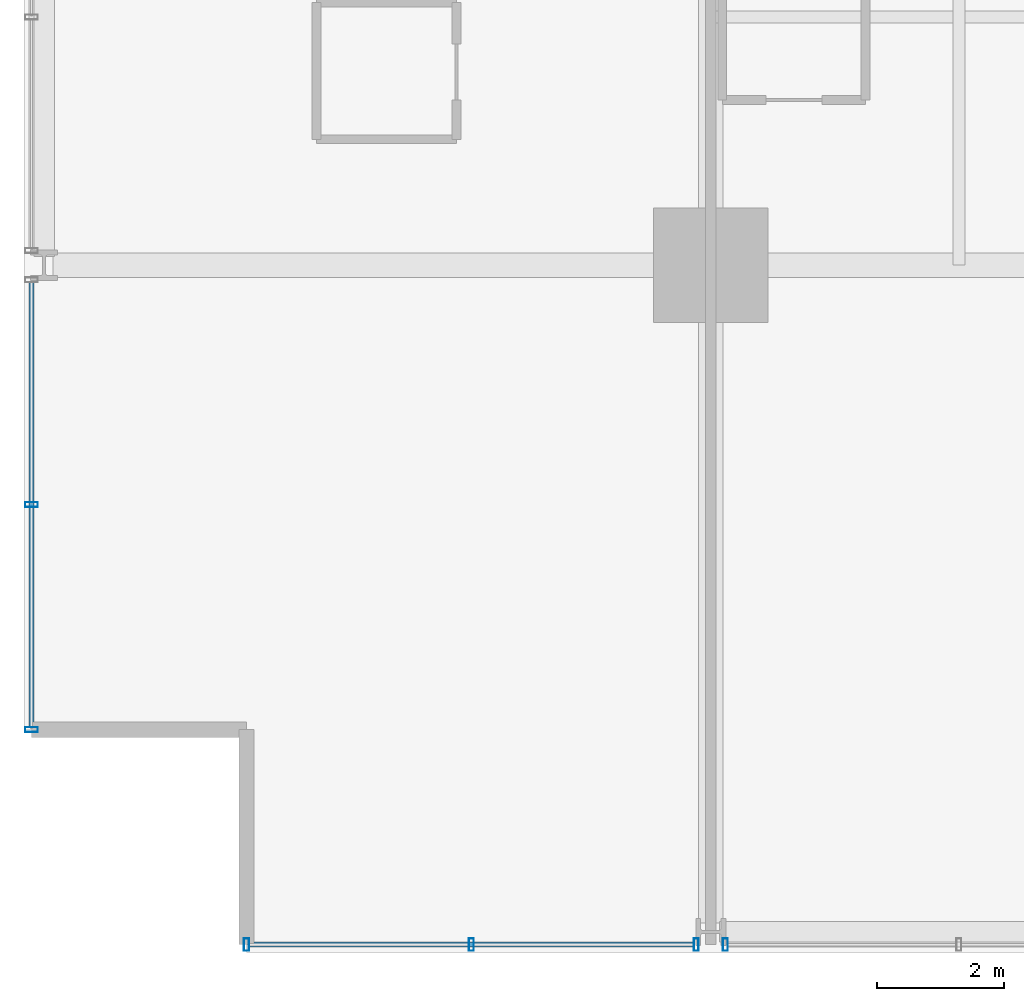
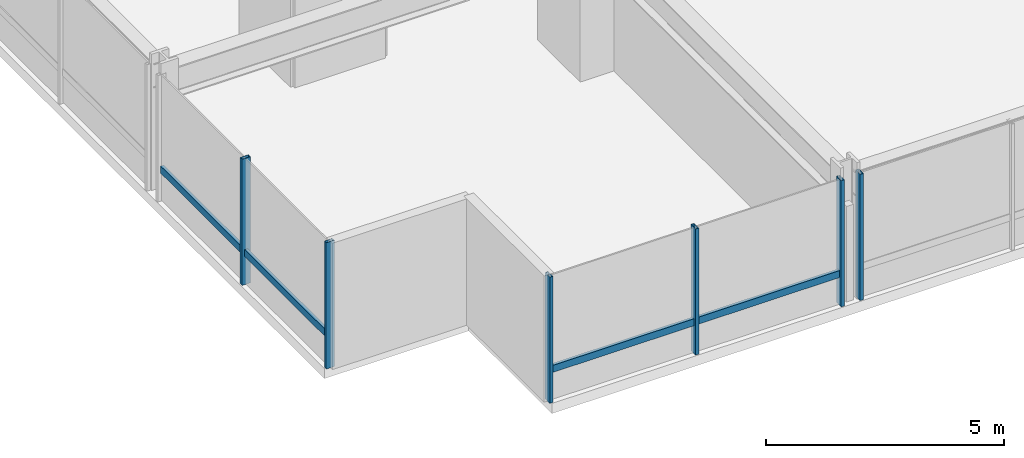
# One storey, part 2 of 38: 8 members, 3 elements without a shape of their own.
"""IFC4 building model written with IfcOpenShell, lengths in metres."""

from ifc_helpers import new_model, si_unit, direction, frame, origin, origin_2d, place, context, subcontext, project, spatial, hollow_rectangle, extrude, material, layer, layer_set, material_profile, profile_set, type_object, element, aggregate, save


model = new_model("IFC4")

# Units and contexts
model_context = context("Model", 3, precision=1e-05, world=origin(), true_north=direction((0.0, 1.0)))
body_context = subcontext(model_context, "Body", "Model", "MODEL_VIEW")
ifc_project = project(units=[si_unit("LENGTHUNIT", "METRE"), si_unit("AREAUNIT", "SQUARE_METRE"), si_unit("VOLUMEUNIT", "CUBIC_METRE"), si_unit("PLANEANGLEUNIT", "RADIAN"), si_unit("MASSUNIT", "GRAM", prefix="KILO")], contexts=[model_context])

# Site, building, storey
site_placement = place(None, origin())
site = spatial("IfcSite", under=ifc_project, at=site_placement, CompositionType="ELEMENT")
building_placement = place(site_placement, origin())
building = spatial("IfcBuilding", under=site, at=building_placement, Name="Drelvath Grand Hotel", CompositionType="ELEMENT")
storey_placement = place(building_placement, frame((0.0, 0.0, 68.199951171875)))
storey = spatial("IfcBuildingStorey", under=building, at=storey_placement, Name="L16", CompositionType="ELEMENT", Elevation=68.199951171875)

# Curtain wall, member
ifc_material = material(Name="Warm Bronze Anodised Aluminium Frame", Category="aluminium")
ifc_layer = layer(ifc_material, 0.199951171875)
ifc_layer_set = layer_set([ifc_layer], Name="Warm Bronze Anodised Aluminium Frame")
curtain_wall_type = type_object("IfcCurtainWallType", Name="Stick Curtain Wall CW-02 Warm Bronze Low-Rise", PredefinedType="NOTDEFINED", material=ifc_layer_set)
curtain_wall_1_placement = place(storey_placement, origin())
curtain_wall_1 = element("IfcCurtainWall", 1, at=curtain_wall_1_placement, inside=storey, type_object=curtain_wall_type, Name="L16 CW-02 Curtain Wall CW02-L16-WS1", PredefinedType="NOTDEFINED")
ifc_material_profile_1 = material_profile(ifc_material, hollow_rectangle(XDim=0.074951171875, YDim=0.179931640625, WallThickness=0.0048828125, at=origin_2d()), Name="HSS180X75X5")
ifc_profile_set_1 = profile_set([ifc_material_profile_1], Name="Warm Bronze Anodised Aluminium Frame")
member_type_1 = type_object("IfcMemberType", Name="Curtain Wall Horizontal Transom CW-02 HSS180X75X5", PredefinedType="USERDEFINED", material=ifc_profile_set_1)
member_1_placement = place(storey_placement, frame((-26.8798828125, 3.5400390625, 0.81005859375), z_axis=(0.0, 1.0, 0.0), x_axis=(-1.0, 0.0, 0.0)))
member_1 = element("IfcMember", 2, at=member_1_placement, type_object=member_type_1, Name="CW02-L16-WS1 Sill Transom", ObjectType="TRANSOM", PredefinedType="USERDEFINED", context=body_context, shape_type="SweptSolid", body=[
    extrude(hollow_rectangle(XDim=0.074951171875, YDim=0.179931640625, WallThickness=0.0048828125, at=origin_2d()), origin(), (0.0, 0.0, 1.0), 6.990966796875),
])

curtain_wall_2_placement = place(storey_placement, origin())
curtain_wall_2 = element("IfcCurtainWall", 3, at=curtain_wall_2_placement, inside=storey, type_object=curtain_wall_type, Name="L16 CW-02 Curtain Wall CW02-L16-SW1", PredefinedType="NOTDEFINED")
member_2_placement = place(storey_placement, frame((-16.468994140625, 0.1201171875, 0.81005859375), z_axis=(-1.0, 0.0, 0.0), x_axis=(0.0, -1.0, 0.0)))
member_2 = element("IfcMember", 4, at=member_2_placement, type_object=member_type_1, Name="CW02-L16-SW1 Sill Transom", ObjectType="TRANSOM", PredefinedType="USERDEFINED", context=body_context, shape_type="SweptSolid", body=[
    extrude(hollow_rectangle(XDim=0.074951171875, YDim=0.179931640625, WallThickness=0.0048828125, at=origin_2d()), origin(), (0.0, 0.0, 1.0), 6.990966796875),
])

# Member
ifc_material_profile_2 = material_profile(ifc_material, hollow_rectangle(XDim=0.080078125, YDim=0.199951171875, WallThickness=0.0048828125, at=origin_2d()), Name="HSS200X80X5")
ifc_profile_set_2 = profile_set([ifc_material_profile_2], Name="Warm Bronze Anodised Aluminium Frame")
member_type_2 = type_object("IfcMemberType", Name="Curtain Wall Vertical Mullion CW-02 HSS200X80X5", PredefinedType="MULLION", material=ifc_profile_set_2)
member_3_placement = place(storey_placement, frame((-26.8798828125, 3.5, 0.0), z_axis=(0.0, 0.0, 1.0), x_axis=(0.0, 1.0, 0.0)))
member_3 = element("IfcMember", 5, at=member_3_placement, type_object=member_type_2, Name="CW02-L16-WS1 Mullion 1", PredefinedType="MULLION", context=body_context, shape_type="SweptSolid", body=[
    extrude(hollow_rectangle(XDim=0.080078125, YDim=0.199951171875, WallThickness=0.0048828125, at=origin_2d()), origin(), (0.0, 0.0, 1.0), 3.239990234375),
])

member_4_placement = place(storey_placement, frame((-26.8798828125, 7.035400390625, 0.0), z_axis=(0.0, 0.0, 1.0), x_axis=(0.0, 1.0, 0.0)))
member_4 = element("IfcMember", 6, at=member_4_placement, type_object=member_type_2, Name="CW02-L16-WS1 Mullion 2", PredefinedType="MULLION", context=body_context, shape_type="SweptSolid", body=[
    extrude(hollow_rectangle(XDim=0.080078125, YDim=0.199951171875, WallThickness=0.0048828125, at=origin_2d()), origin(), (0.0, 0.0, 1.0), 3.239990234375),
])

aggregate(curtain_wall_1, [member_3, member_4, member_1])

member_5_placement = place(storey_placement, frame((-16.42919921875, 0.1201171875, 0.0), z_axis=(0.0, 0.0, 1.0), x_axis=(1.0, 0.0, 0.0)))
member_5 = element("IfcMember", 7, at=member_5_placement, type_object=member_type_2, Name="CW02-L16-SW1 Mullion 1", PredefinedType="MULLION", context=body_context, shape_type="SweptSolid", body=[
    extrude(hollow_rectangle(XDim=0.080078125, YDim=0.199951171875, WallThickness=0.0048828125, at=origin_2d()), origin(), (0.0, 0.0, 1.0), 3.239990234375),
])

member_6_placement = place(storey_placement, frame((-19.964599609375, 0.1201171875, 0.0), z_axis=(0.0, 0.0, 1.0), x_axis=(1.0, 0.0, 0.0)))
member_6 = element("IfcMember", 8, at=member_6_placement, type_object=member_type_2, Name="CW02-L16-SW1 Mullion 2", PredefinedType="MULLION", context=body_context, shape_type="SweptSolid", body=[
    extrude(hollow_rectangle(XDim=0.080078125, YDim=0.199951171875, WallThickness=0.0048828125, at=origin_2d()), origin(), (0.0, 0.0, 1.0), 3.239990234375),
])

member_7_placement = place(storey_placement, frame((-23.5, 0.1201171875, 0.0), z_axis=(0.0, 0.0, 1.0), x_axis=(1.0, 0.0, 0.0)))
member_7 = element("IfcMember", 9, at=member_7_placement, type_object=member_type_2, Name="CW02-L16-SW1 Mullion 3", PredefinedType="MULLION", context=body_context, shape_type="SweptSolid", body=[
    extrude(hollow_rectangle(XDim=0.080078125, YDim=0.199951171875, WallThickness=0.0048828125, at=origin_2d()), origin(), (0.0, 0.0, 1.0), 3.239990234375),
])

aggregate(curtain_wall_2, [member_5, member_6, member_7, member_2])

# Curtain wall, member
curtain_wall_3_placement = place(storey_placement, origin())
curtain_wall_3 = element("IfcCurtainWall", 10, at=curtain_wall_3_placement, inside=storey, type_object=curtain_wall_type, Name="L16 CW-02 Curtain Wall CW02-L16-SW2", PredefinedType="NOTDEFINED")
member_8_placement = place(storey_placement, frame((-15.970947265625, 0.1201171875, 0.0), z_axis=(0.0, 0.0, 1.0), x_axis=(1.0, 0.0, 0.0)))
member_8 = element("IfcMember", 11, at=member_8_placement, type_object=member_type_2, Name="CW02-L16-SW2 Mullion 3", PredefinedType="MULLION", context=body_context, shape_type="SweptSolid", body=[
    extrude(hollow_rectangle(XDim=0.080078125, YDim=0.199951171875, WallThickness=0.0048828125, at=origin_2d()), origin(), (0.0, 0.0, 1.0), 3.239990234375),
])
aggregate(curtain_wall_3, [member_8])

save(model, "model.ifc")
